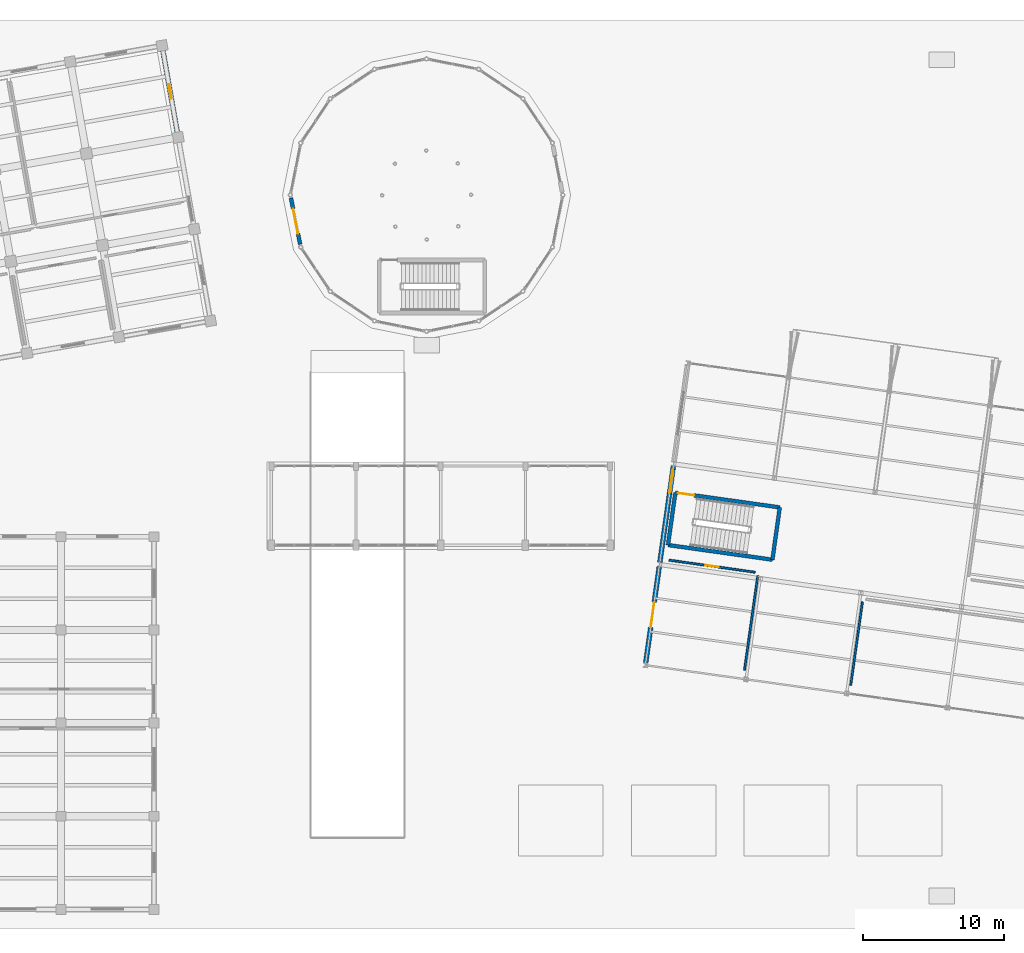
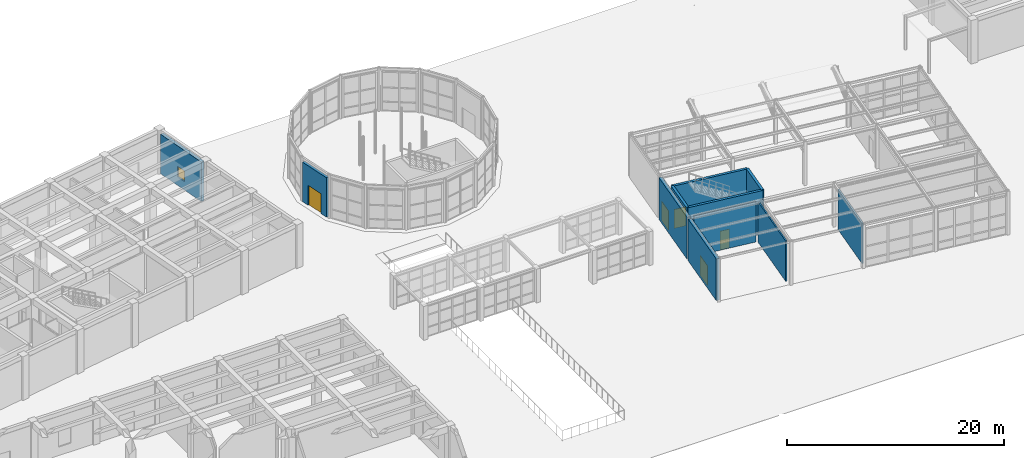
# One storey, part 45 of 57: 11 walls, 5 doors, 1 window, 6 openings.
"""IFC4 building model written with IfcOpenShell, lengths in metres."""

from ifc_helpers import new_model, si_unit, direction, frame, frame_2d, origin, place, context, subcontext, project, spatial, rectangle, extrude, material, layer, layer_set, type_object, element, fill, save


model = new_model("IFC4")

# Units and contexts
model_context = context("Model", 3, precision=1e-05, world=origin(), true_north=direction((0.0, 1.0)))
body_context = subcontext(model_context, "Body", "Model", "MODEL_VIEW")
ifc_project = project(units=[si_unit("LENGTHUNIT", "METRE"), si_unit("AREAUNIT", "SQUARE_METRE"), si_unit("VOLUMEUNIT", "CUBIC_METRE"), si_unit("PLANEANGLEUNIT", "RADIAN"), si_unit("MASSUNIT", "GRAM", prefix="KILO")], contexts=[model_context])

# Site, building, storey
site_placement = place(None, origin())
site = spatial("IfcSite", under=ifc_project, at=site_placement, CompositionType="ELEMENT")
building_placement = place(site_placement, origin())
building = spatial("IfcBuilding", under=site, at=building_placement, Name="Kharisveld Research Institute", CompositionType="ELEMENT")
storey_placement = place(building_placement, origin())
storey = spatial("IfcBuildingStorey", under=building, at=storey_placement, Name="L00", CompositionType="ELEMENT", Elevation=0.0)

# Wall
ifc_material_1 = material(Name="Concrete C40/50", Category="concrete")
ifc_layer_1 = layer(ifc_material_1, 0.27001953125)
ifc_layer_set_1 = layer_set([ifc_layer_1], Name="WL_CORE_270")
wall_type_1 = type_object("IfcWallType", Name="WL_CORE_270", PredefinedType="SHEAR", material=ifc_layer_set_1)
wall_1_placement = place(storey_placement, frame((76.599853515625, 26.01025390625, 0.0), z_axis=(0.0, 0.0, 1.0), x_axis=(0.139172815303, 0.990268108888, 0.0)))
element("IfcWall", 1, at=wall_1_placement, inside=storey, type_object=wall_type_1, Name="WL:STR:ST5:L00:W", PredefinedType="SHEAR", context=body_context, shape_type="SweptSolid", body=[
    extrude(rectangle(XDim=3.739990234375, YDim=0.27001953125, at=frame_2d((1.8701171875, 0.0))), origin(), (0.0, 0.0, 1.0), 4.8798828125),
])

# Wall, opening, door
wall_2_placement = place(storey_placement, frame((77.120361328125, 29.7138671875, 0.0), z_axis=(0.0, 0.0, 1.0), x_axis=(0.990265308789, -0.139192737628, 0.0)))
wall_2 = element("IfcWall", 2, at=wall_2_placement, inside=storey, type_object=wall_type_1, Name="WL:STR:ST5:L00:N", PredefinedType="SHEAR", context=body_context, shape_type="SweptSolid", body=[
    extrude(rectangle(XDim=7.47021484375, YDim=0.27001953125, at=frame_2d((3.735107421875, 0.0))), origin(), (0.0, 0.0, 1.0), 4.8798828125),
])
opening_1_placement = place(wall_2_placement, frame((0.179931640625, 0.0, 0.0)))
opening_1 = element("IfcOpeningElement", 3, at=opening_1_placement, cuts=wall_2, Name="Opening DS-043", PredefinedType="OPENING", context=body_context, shape_type="SweptSolid", body=[
    extrude(rectangle(XDim=1.179931640625, YDim=2.14990234375, at=frame_2d((0.58984375, 1.074951171875))), frame((0.0, 0.135009765625, 0.0), z_axis=(0.0, -1.0, 0.0), x_axis=(1.0, 0.0, 0.0)), (0.0, 0.0, 1.0), 0.27001953125),
])
ifc_material_2 = material(Name="Flush Painted Hardwood and Anodised Aluminium", Category="wood")
door_type_1 = type_object("IfcDoorType", Name="DR_FD60_118", OperationType="NOTDEFINED", PredefinedType="DOOR", material=ifc_material_2)
door_1_placement = place(opening_1_placement, origin())
door_1 = element("IfcDoor", 4, at=door_1_placement, inside=storey, type_object=door_type_1, Name="DR:STR:ST5:L00", OperationType="SINGLE_SWING_RIGHT", OverallHeight=2.14990234375, OverallWidth=1.179931640625, PredefinedType="DOOR", context=body_context, shape_type="SweptSolid", body=[
    extrude(rectangle(XDim=1.179931640625, YDim=2.14990234375, at=frame_2d((0.58984375, 1.074951171875))), frame((0.0, 0.02490234375, 0.0), z_axis=(0.0, -1.0, 0.0), x_axis=(1.0, 0.0, 0.0)), (0.0, 0.0, 1.0), 0.050048828125),
])
fill(opening_1, door_1)

# Walls
wall_3_placement = place(storey_placement, frame((84.517822265625, 28.674072265625, 0.0), z_axis=(0.0, 0.0, 1.0), x_axis=(-0.139172815303, -0.990268108888, 0.0)))
element("IfcWall", 5, at=wall_3_placement, inside=storey, type_object=wall_type_1, Name="WL:STR:ST5:L00:E", PredefinedType="SHEAR", context=body_context, shape_type="SweptSolid", body=[
    extrude(rectangle(XDim=3.739990234375, YDim=0.27001953125, at=frame_2d((1.8701171875, 0.0))), origin(), (0.0, 0.0, 1.0), 4.8798828125),
])
wall_4_placement = place(storey_placement, frame((83.997314453125, 24.970458984375, 0.0), z_axis=(0.0, 0.0, 1.0), x_axis=(-0.990265308789, 0.139192737628, 0.0)))
element("IfcWall", 6, at=wall_4_placement, inside=storey, type_object=wall_type_1, Name="WL:STR:ST5:L00:S", PredefinedType="SHEAR", context=body_context, shape_type="SweptSolid", body=[
    extrude(rectangle(XDim=7.47021484375, YDim=0.27001953125, at=frame_2d((3.735107421875, 0.0))), origin(), (0.0, 0.0, 1.0), 4.8798828125),
])

# Wall, opening, door
ifc_material_3 = material(Name="Precast Concrete C40/50 Thermal Wall", Category="concrete")
ifc_layer_2 = layer(ifc_material_3, 0.27490234375)
ifc_layer_set_2 = layer_set([ifc_layer_2], Name="WL_EXT_275")
wall_type_2 = type_object("IfcWallType", Name="WL_EXT_275", PredefinedType="STANDARD", material=ifc_layer_set_2)
wall_5_placement = place(storey_placement, frame((50.542724609375, 47.31787109375, 0.0), z_axis=(0.0, 0.0, 1.0), x_axis=(-0.195144763277, 0.980774449792, 0.0)))
wall_5 = element("IfcWall", 7, at=wall_5_placement, inside=storey, type_object=wall_type_2, Name="WL:V6:L00:CHORD08", PredefinedType="STANDARD", context=body_context, shape_type="SweptSolid", body=[
    extrude(rectangle(XDim=3.33544921875, YDim=0.27490234375, at=frame_2d((1.667724609375, 0.0))), origin(), (0.0, 0.0, 1.0), 4.449951171875),
])
opening_2_placement = place(wall_5_placement, frame((0.767578125, 0.0, 0.0)))
opening_2 = element("IfcOpeningElement", 8, at=opening_2_placement, cuts=wall_5, Name="Opening DE-024", PredefinedType="OPENING", context=body_context, shape_type="SweptSolid", body=[
    extrude(rectangle(XDim=1.800048828125, YDim=2.25, at=frame_2d((0.89990234375, 1.125))), frame((0.0, 0.137451171875, 0.0), z_axis=(0.0, -1.0, 0.0), x_axis=(1.0, 0.0, 0.0)), (0.0, 0.0, 1.0), 0.27490234375),
])
ifc_material_4 = material(Name="Thermally Broken Powder-Coated Aluminium", Category="aluminium")
door_type_2 = type_object("IfcDoorType", Name="DR_EXT_180", OperationType="DOUBLE_DOOR_SINGLE_SWING", PredefinedType="DOOR", material=ifc_material_4)
door_2_placement = place(opening_2_placement, origin())
door_2 = element("IfcDoor", 9, at=door_2_placement, inside=storey, type_object=door_type_2, Name="DR:V6:L00:EXIT_08", OperationType="DOUBLE_DOOR_SINGLE_SWING", OverallHeight=2.25, OverallWidth=1.800048828125, PredefinedType="DOOR", context=body_context, shape_type="SweptSolid", body=[
    extrude(rectangle(XDim=1.800048828125, YDim=2.25, at=frame_2d((0.89990234375, 1.125))), frame((0.0, 0.02490234375, 0.0), z_axis=(0.0, -1.0, 0.0), x_axis=(1.0, 0.0, 0.0)), (0.0, 0.0, 1.0), 0.050048828125),
])
fill(opening_2, door_2)

# Wall, opening, window
ifc_material_5 = material(Name="Concrete C35/45", Category="concrete")
ifc_layer_3 = layer(ifc_material_5, 0.340087890625)
ifc_layer_set_3 = layer_set([ifc_layer_3], Name="WL_EXT_340")
wall_type_3 = type_object("IfcWallType", Name="WL_EXT_340", PredefinedType="SOLIDWALL", material=ifc_layer_set_3)
wall_6_placement = place(storey_placement, frame((40.824462890625, 61.021240234375, 0.0), z_axis=(0.0, 0.0, 1.0), x_axis=(0.1736474839, -0.984807875342, 0.0)))
wall_6 = element("IfcWall", 10, at=wall_6_placement, inside=storey, type_object=wall_type_3, Name="WL:V1:L00:E3", PredefinedType="SOLIDWALL", context=body_context, shape_type="SweptSolid", body=[
    extrude(rectangle(XDim=5.860107421875, YDim=0.340087890625, at=frame_2d((2.93017578125, 0.0))), origin(), (0.0, 0.0, 1.0), 4.455078125),
])
opening_3_placement = place(wall_6_placement, frame((2.405029296875, 0.0, 0.949951171875)))
opening_3 = element("IfcOpeningElement", 11, at=opening_3_placement, cuts=wall_6, Name="Opening WN-11", PredefinedType="OPENING", context=body_context, shape_type="SweptSolid", body=[
    extrude(rectangle(XDim=1.050048828125, YDim=1.199951171875, at=frame_2d((0.52490234375, 0.60009765625))), frame((0.0, 0.169921875, 0.0), z_axis=(0.0, -1.0, 0.0), x_axis=(1.0, 0.0, 0.0)), (0.0, 0.0, 1.0), 0.340087890625),
])
ifc_material_6 = material(Name="Low-E Double Glazing", Category="glass")
window_type = type_object("IfcWindowType", Name="WN_11", PartitioningType="SINGLE_PANEL", PredefinedType="WINDOW", material=ifc_material_6)
window_placement = place(opening_3_placement, origin())
window = element("IfcWindow", 12, at=window_placement, inside=storey, type_object=window_type, Name="WN:V1:L00:E3", OverallHeight=1.199951171875, OverallWidth=1.050048828125, PartitioningType="SINGLE_PANEL", PredefinedType="WINDOW", context=body_context, shape_type="SweptSolid", body=[
    extrude(rectangle(XDim=1.050048828125, YDim=1.199951171875, at=frame_2d((0.52490234375, 0.60009765625))), frame((0.0, 0.030029296875, 0.0), z_axis=(0.0, -1.0, 0.0), x_axis=(1.0, 0.0, 0.0)), (0.0, 0.0, 1.0), 0.06005859375),
])
fill(opening_3, window)

# Wall, opening, door
wall_7_placement = place(storey_placement, frame((75.020263671875, 17.6435546875, 0.0), z_axis=(0.0, 0.0, 1.0), x_axis=(0.139170380644, 0.990268451053, 0.0)))
wall_7 = element("IfcWall", 13, at=wall_7_placement, inside=storey, type_object=wall_type_3, Name="WL:V4:L00:W0", PredefinedType="SOLIDWALL", context=body_context, shape_type="SweptSolid", body=[
    extrude(rectangle(XDim=6.909912109375, YDim=0.340087890625, at=frame_2d((3.455078125, 0.0))), origin(), (0.0, 0.0, 1.0), 4.705078125),
])
opening_4_placement = place(wall_7_placement, frame((2.554931640625, 0.0, 0.0)))
opening_4 = element("IfcOpeningElement", 14, at=opening_4_placement, cuts=wall_7, Name="Opening DE-018", PredefinedType="OPENING", context=body_context, shape_type="SweptSolid", body=[
    extrude(rectangle(XDim=1.800048828125, YDim=2.25, at=frame_2d((0.89990234375, 1.125))), frame((0.0, 0.169921875, 0.0), z_axis=(0.0, -1.0, 0.0), x_axis=(1.0, 0.0, 0.0)), (0.0, 0.0, 1.0), 0.340087890625),
])
door_3_placement = place(opening_4_placement, origin())
door_3 = element("IfcDoor", 15, at=door_3_placement, inside=storey, type_object=door_type_2, Name="DR:V4:L00:EXIT_W0", OperationType="DOUBLE_DOOR_SINGLE_SWING", OverallHeight=2.25, OverallWidth=1.800048828125, PredefinedType="DOOR", context=body_context, shape_type="SweptSolid", body=[
    extrude(rectangle(XDim=1.800048828125, YDim=2.25, at=frame_2d((0.89990234375, 1.125))), frame((0.0, 0.02490234375, 0.0), z_axis=(0.0, -1.0, 0.0), x_axis=(1.0, 0.0, 0.0)), (0.0, 0.0, 1.0), 0.050048828125),
])
fill(opening_4, door_3)

wall_8_placement = place(storey_placement, frame((76.022216796875, 24.7734375, 0.0), z_axis=(0.0, 0.0, 1.0), x_axis=(0.139170380644, 0.990268451053, 0.0)))
wall_8 = element("IfcWall", 16, at=wall_8_placement, inside=storey, type_object=wall_type_3, Name="WL:V4:L00:W1", PredefinedType="SOLIDWALL", context=body_context, shape_type="SweptSolid", body=[
    extrude(rectangle(XDim=6.909912109375, YDim=0.340087890625, at=frame_2d((3.455078125, 0.0))), origin(), (0.0, 0.0, 1.0), 4.705078125),
])
opening_5_placement = place(wall_8_placement, frame((4.9599609375, 0.0, 0.0)))
opening_5 = element("IfcOpeningElement", 17, at=opening_5_placement, cuts=wall_8, Name="Opening DE-019", PredefinedType="OPENING", context=body_context, shape_type="SweptSolid", body=[
    extrude(rectangle(XDim=1.699951171875, YDim=2.199951171875, at=frame_2d((0.85009765625, 1.10009765625))), frame((0.0, 0.169921875, 0.0), z_axis=(0.0, -1.0, 0.0), x_axis=(1.0, 0.0, 0.0)), (0.0, 0.0, 1.0), 0.340087890625),
])
ifc_material_7 = material(Name="Thermally Broken Powder-Coated Aluminium", Category="aluminium")
door_type_3 = type_object("IfcDoorType", Name="DR_EXT_170", OperationType="DOUBLE_DOOR_SINGLE_SWING", PredefinedType="DOOR", material=ifc_material_7)
door_4_placement = place(opening_5_placement, origin())
door_4 = element("IfcDoor", 18, at=door_4_placement, inside=storey, type_object=door_type_3, Name="DR:V4:L00:EXIT_W1", OperationType="DOUBLE_DOOR_SINGLE_SWING", OverallHeight=2.199951171875, OverallWidth=1.699951171875, PredefinedType="DOOR", context=body_context, shape_type="SweptSolid", body=[
    extrude(rectangle(XDim=1.699951171875, YDim=2.199951171875, at=frame_2d((0.85009765625, 1.10009765625))), frame((0.0, 0.02490234375, 0.0), z_axis=(0.0, -1.0, 0.0), x_axis=(1.0, 0.0, 0.0)), (0.0, 0.0, 1.0), 0.050048828125),
])
fill(opening_5, door_4)

# Wall
ifc_material_8 = material(Name="Insulated Stud Partition", Category="mineral")
ifc_layer_4 = layer(ifc_material_8, 0.139892578125)
ifc_layer_set_4 = layer_set([ifc_layer_4], Name="WL_OFF_140")
wall_type_4 = type_object("IfcWallType", Name="WL_OFF_140", PredefinedType="PARTITIONING", material=ifc_layer_set_4)
wall_9_placement = place(storey_placement, frame((82.01806640625, 17.1396484375, 0.0), z_axis=(0.0, 0.0, 1.0), x_axis=(0.139186215649, 0.990266225504, 0.0)))
element("IfcWall", 19, at=wall_9_placement, inside=storey, type_object=wall_type_4, Name="WL:RM:V4:L00:ENT:E", PredefinedType="PARTITIONING", context=body_context, shape_type="SweptSolid", body=[
    extrude(rectangle(XDim=6.76025390625, YDim=0.139892578125, at=frame_2d((3.380126953125, 0.0))), origin(), (0.0, 0.0, 1.0), 4.550048828125),
])

# Wall, opening, door
wall_10_placement = place(storey_placement, frame((82.771728515625, 24.08251953125, 0.0), z_axis=(0.0, 0.0, 1.0), x_axis=(-0.990271090706, 0.139151596873, 0.0)))
wall_10 = element("IfcWall", 20, at=wall_10_placement, inside=storey, type_object=wall_type_4, Name="WL:RM:V4:L00:ENT:N", PredefinedType="PARTITIONING", context=body_context, shape_type="SweptSolid", body=[
    extrude(rectangle(XDim=6.159912109375, YDim=0.139892578125, at=frame_2d((3.080078125, 0.0))), origin(), (0.0, 0.0, 1.0), 4.550048828125),
])
opening_6_placement = place(wall_10_placement, frame((2.610107421875, 0.0, 0.0)))
opening_6 = element("IfcOpeningElement", 21, at=opening_6_placement, cuts=wall_10, Name="Opening DI-300", PredefinedType="OPENING", context=body_context, shape_type="SweptSolid", body=[
    extrude(rectangle(XDim=0.93994140625, YDim=2.1201171875, at=frame_2d((0.469970703125, 1.06005859375))), frame((0.0, 0.06982421875, 0.0), z_axis=(0.0, -1.0, 0.0), x_axis=(1.0, 0.0, 0.0)), (0.0, 0.0, 1.0), 0.139892578125),
])
ifc_material_9 = material(Name="Flush Painted Hardwood and Anodised Aluminium", Category="wood")
door_type_4 = type_object("IfcDoorType", Name="DR_OFF_094", OperationType="NOTDEFINED", PredefinedType="DOOR", material=ifc_material_9)
door_5_placement = place(opening_6_placement, origin())
door_5 = element("IfcDoor", 22, at=door_5_placement, inside=storey, type_object=door_type_4, Name="DR:RM:V4:L00:ENT:N", OperationType="SINGLE_SWING_RIGHT", OverallHeight=2.1201171875, OverallWidth=0.93994140625, PredefinedType="DOOR", context=body_context, shape_type="SweptSolid", body=[
    extrude(rectangle(XDim=0.93994140625, YDim=2.1201171875, at=frame_2d((0.469970703125, 1.06005859375))), frame((0.0, 0.02490234375, 0.0), z_axis=(0.0, -1.0, 0.0), x_axis=(1.0, 0.0, 0.0)), (0.0, 0.0, 1.0), 0.050048828125),
])
fill(opening_6, door_5)

# Wall
wall_11_placement = place(storey_placement, frame((90.373779296875, 21.984130859375, 0.0), z_axis=(0.0, 0.0, 1.0), x_axis=(-0.139190185652, -0.990265667494, 0.0)))
element("IfcWall", 23, at=wall_11_placement, inside=storey, type_object=wall_type_4, Name="WL:RM:V4:L00:EXH:W", PredefinedType="PARTITIONING", context=body_context, shape_type="SweptSolid", body=[
    extrude(rectangle(XDim=5.960205078125, YDim=0.139892578125, at=frame_2d((2.97998046875, 0.0))), origin(), (0.0, 0.0, 1.0), 4.550048828125),
])

save(model, "model.ifc")
